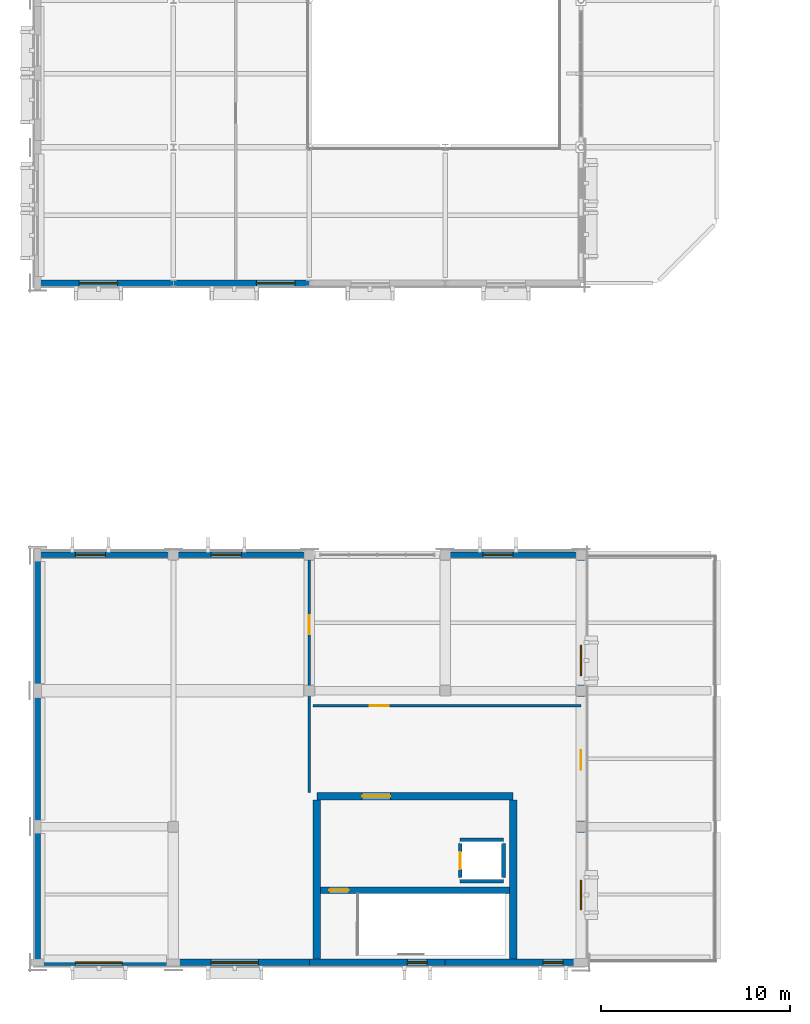
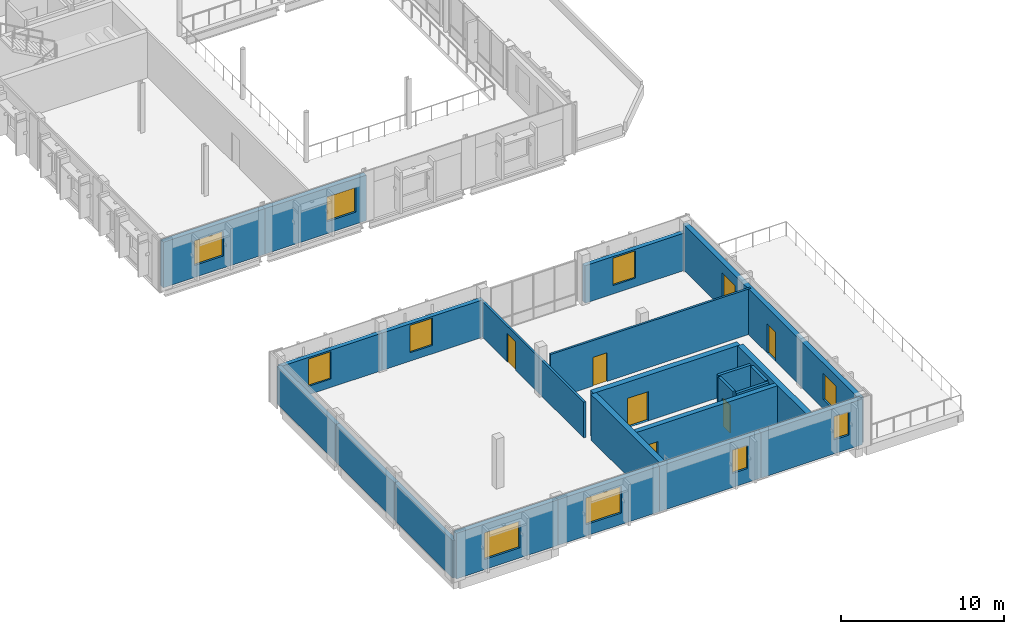
# One storey, part 49 of 73: 23 walls, 11 windows, 6 doors, 17 openings.
"""IFC4 building model written with IfcOpenShell, lengths in metres."""

from ifc_helpers import new_model, si_unit, direction, frame, frame_2d, origin, origin_with_axes, place, context, subcontext, project, spatial, rectangle, extrude, material, layer, layer_set, type_object, element, fill, save


model = new_model("IFC4")

# Units and contexts
model_context = context("Model", 3, precision=1e-05, world=origin(), true_north=direction((0.0, 1.0)))
body_context = subcontext(model_context, "Body", "Model", "MODEL_VIEW")
ifc_project = project(units=[si_unit("LENGTHUNIT", "METRE"), si_unit("AREAUNIT", "SQUARE_METRE"), si_unit("VOLUMEUNIT", "CUBIC_METRE"), si_unit("PLANEANGLEUNIT", "RADIAN"), si_unit("MASSUNIT", "GRAM", prefix="KILO")], contexts=[model_context])

# Site, building, storey
site_placement = place(None, origin())
site = spatial("IfcSite", under=ifc_project, at=site_placement, CompositionType="ELEMENT")
building_placement = place(site_placement, origin())
building = spatial("IfcBuilding", under=site, at=building_placement, Name="Vervanel Yard Central Library", CompositionType="ELEMENT")
storey_placement = place(building_placement, frame((0.0, 0.0, 12.780029296875)))
storey = spatial("IfcBuildingStorey", under=building, at=storey_placement, Name="L03", CompositionType="ELEMENT", Elevation=12.780029296875)

# Walls
ifc_material_1 = material(Name="Precast concrete C45/55", Category="concrete")
ifc_layer_1 = layer(ifc_material_1, 0.300048828125, Category="concrete")
ifc_layer_set_1 = layer_set([ifc_layer_1], Name="Precast concrete C45/55")
wall_type_1 = type_object("IfcWallType", Name="Bush-Hammered Precast Cladding Wall 300", PredefinedType="SOLIDWALL", material=ifc_layer_set_1)
for number, where, z_axis, x_axis, name in (
    (1, (0.0, 0.0, 0.0), (0.0, 0.0, 1.0), (0.0, 1.0, 0.0), "L03 Bush-Hammered Precast Cladding Wall 300 EWALL-L03-0250"),
    (2, (0.0, 7.199951171875, 0.0), (0.0, 0.0, 1.0), (0.0, 1.0, 0.0), "L03 Bush-Hammered Precast Cladding Wall 300 EWALL-L03-0251"),
):
    element("IfcWall", number, at=place(storey_placement, frame(where, z_axis=z_axis, x_axis=x_axis)), inside=storey, type_object=wall_type_1, Name=name, PredefinedType="SOLIDWALL", context=body_context, shape_type="SweptSolid", body=[
        extrude(rectangle(XDim=7.199951171875, YDim=0.300048828125, at=frame_2d((3.60009765625, 0.0))), origin(), (0.0, 0.0, 1.0), 2.804931640625),
    ])
wall_1_placement = place(storey_placement, frame((0.0, 14.39990234375, 0.0), z_axis=(0.0, 0.0, 1.0), x_axis=(0.0, 1.0, 0.0)))
element("IfcWall", 3, at=wall_1_placement, inside=storey, type_object=wall_type_1, Name="L03 Bush-Hammered Precast Cladding Wall 300 EWALL-L03-0252", PredefinedType="SOLIDWALL", context=body_context, shape_type="SweptSolid", body=[
    extrude(rectangle(XDim=7.2001953125, YDim=0.300048828125, at=frame_2d((3.60009765625, 0.0))), origin(), (0.0, 0.0, 1.0), 2.804931640625),
])

# Wall, opening, window
wall_2_placement = place(storey_placement, frame((0.0, 21.60009765625, 0.0), z_axis=(0.0, 0.0, 1.0), x_axis=(1.0, 0.0, 0.0)))
wall_2 = element("IfcWall", 4, at=wall_2_placement, inside=storey, type_object=wall_type_1, Name="L03 Bush-Hammered Precast Cladding Wall 300 EWALL-L03-0254", PredefinedType="SOLIDWALL", context=body_context, shape_type="SweptSolid", body=[
    extrude(rectangle(XDim=7.199951171875, YDim=0.300048828125, at=frame_2d((3.60009765625, 0.0))), origin(), (0.0, 0.0, 1.0), 2.804931640625),
])
opening_1_placement = place(wall_2_placement, frame((2.0, 0.0, 0.635009765625)))
opening_1 = element("IfcOpeningElement", 5, at=opening_1_placement, cuts=wall_2, Name="Opening WN-20", PredefinedType="OPENING", context=body_context, shape_type="SweptSolid", body=[
    extrude(rectangle(XDim=1.60009765625, YDim=2.050048828125, at=frame_2d((0.800048828125, 1.02490234375))), frame((0.0, 0.159912109375, 0.0), z_axis=(0.0, -1.0, 0.0), x_axis=(1.0, 0.0, 0.0)), (0.0, 0.0, 1.0), 0.320068359375),
])
ifc_material_2 = material(Name="Double low-E laminated solar-control glass", Category="glass")
window_type_1 = type_object("IfcWindowType", Name="Reading Courtyard Window 1600x2050", PartitioningType="SINGLE_PANEL", PredefinedType="WINDOW", material=ifc_material_2)
window_1_placement = place(opening_1_placement, origin())
window_1 = element("IfcWindow", 6, at=window_1_placement, inside=storey, type_object=window_type_1, Name="L03 Reading Courtyard Window 1600x2050 318", OverallHeight=2.050048828125, OverallWidth=1.60009765625, PartitioningType="SINGLE_PANEL", PredefinedType="WINDOW", context=body_context, shape_type="SweptSolid", body=[
    extrude(rectangle(XDim=1.60009765625, YDim=2.050048828125, at=frame_2d((0.800048828125, 1.02490234375))), frame((0.0, 0.030029296875, 0.0), z_axis=(0.0, -1.0, 0.0), x_axis=(1.0, 0.0, 0.0)), (0.0, 0.0, 1.0), 0.06005859375),
])
fill(opening_1, window_1)

wall_3_placement = place(storey_placement, frame((7.199951171875, 21.60009765625, 0.0), z_axis=(0.0, 0.0, 1.0), x_axis=(1.0, 0.0, 0.0)))
wall_3 = element("IfcWall", 7, at=wall_3_placement, inside=storey, type_object=wall_type_1, Name="L03 Bush-Hammered Precast Cladding Wall 300 EWALL-L03-0255", PredefinedType="SOLIDWALL", context=body_context, shape_type="SweptSolid", body=[
    extrude(rectangle(XDim=7.199951171875, YDim=0.300048828125, at=frame_2d((3.60009765625, 0.0))), origin(), (0.0, 0.0, 1.0), 2.804931640625),
])
opening_2_placement = place(wall_3_placement, frame((2.0, 0.0, 0.635009765625)))
opening_2 = element("IfcOpeningElement", 8, at=opening_2_placement, cuts=wall_3, Name="Opening WN-20", PredefinedType="OPENING", context=body_context, shape_type="SweptSolid", body=[
    extrude(rectangle(XDim=1.60009765625, YDim=2.050048828125, at=frame_2d((0.800048828125, 1.02490234375))), frame((0.0, 0.159912109375, 0.0), z_axis=(0.0, -1.0, 0.0), x_axis=(1.0, 0.0, 0.0)), (0.0, 0.0, 1.0), 0.320068359375),
])
window_2_placement = place(opening_2_placement, origin())
window_2 = element("IfcWindow", 9, at=window_2_placement, inside=storey, type_object=window_type_1, Name="L03 Reading Courtyard Window 1600x2050 319", OverallHeight=2.050048828125, OverallWidth=1.60009765625, PartitioningType="SINGLE_PANEL", PredefinedType="WINDOW", context=body_context, shape_type="SweptSolid", body=[
    extrude(rectangle(XDim=1.60009765625, YDim=2.050048828125, at=frame_2d((0.800048828125, 1.02490234375))), frame((0.0, 0.030029296875, 0.0), z_axis=(0.0, -1.0, 0.0), x_axis=(1.0, 0.0, 0.0)), (0.0, 0.0, 1.0), 0.06005859375),
])
fill(opening_2, window_2)

wall_4_placement = place(storey_placement, frame((21.60009765625, 21.60009765625, 0.0), z_axis=(0.0, 0.0, 1.0), x_axis=(1.0, 0.0, 0.0)))
wall_4 = element("IfcWall", 10, at=wall_4_placement, inside=storey, type_object=wall_type_1, Name="L03 Bush-Hammered Precast Cladding Wall 300 EWALL-L03-0256", PredefinedType="SOLIDWALL", context=body_context, shape_type="SweptSolid", body=[
    extrude(rectangle(XDim=7.199951171875, YDim=0.300048828125, at=frame_2d((3.60009765625, 0.0))), origin(), (0.0, 0.0, 1.0), 2.804931640625),
])
opening_3_placement = place(wall_4_placement, frame((2.0, 0.0, 0.635009765625)))
opening_3 = element("IfcOpeningElement", 11, at=opening_3_placement, cuts=wall_4, Name="Opening WN-20", PredefinedType="OPENING", context=body_context, shape_type="SweptSolid", body=[
    extrude(rectangle(XDim=1.60009765625, YDim=2.050048828125, at=frame_2d((0.800048828125, 1.02490234375))), frame((0.0, 0.159912109375, 0.0), z_axis=(0.0, -1.0, 0.0), x_axis=(1.0, 0.0, 0.0)), (0.0, 0.0, 1.0), 0.320068359375),
])
window_3_placement = place(opening_3_placement, origin())
window_3 = element("IfcWindow", 12, at=window_3_placement, inside=storey, type_object=window_type_1, Name="L03 Reading Courtyard Window 1600x2050 320", OverallHeight=2.050048828125, OverallWidth=1.60009765625, PartitioningType="SINGLE_PANEL", PredefinedType="WINDOW", context=body_context, shape_type="SweptSolid", body=[
    extrude(rectangle(XDim=1.60009765625, YDim=2.050048828125, at=frame_2d((0.800048828125, 1.02490234375))), frame((0.0, 0.030029296875, 0.0), z_axis=(0.0, -1.0, 0.0), x_axis=(1.0, 0.0, 0.0)), (0.0, 0.0, 1.0), 0.06005859375),
])
fill(opening_3, window_3)

# Wall, opening, door
ifc_material_3 = material(Name="Concrete C45/55", Category="concrete")
ifc_layer_2 = layer(ifc_material_3, 0.39990234375, Category="concrete")
ifc_layer_set_2 = layer_set([ifc_layer_2], Name="Concrete C45/55")
wall_type_2 = type_object("IfcWallType", Name="Core Primary Shear Wall 400", PredefinedType="SHEAR", material=ifc_layer_set_2)
wall_5_placement = place(storey_placement, frame((14.800048828125, 8.800048828125, 0.0), z_axis=(0.0, 0.0, 1.0), x_axis=(1.0, 0.0, 0.0)))
wall_5 = element("IfcWall", 13, at=wall_5_placement, inside=storey, type_object=wall_type_2, Name="L03 CORE-D Shear Wall N", PredefinedType="SHEAR", context=body_context, shape_type="SweptSolid", body=[
    extrude(rectangle(XDim=10.39990234375, YDim=0.39990234375, at=frame_2d((5.199951171875, 0.0))), origin(), (0.0, 0.0, 1.0), 3.419921875),
])
opening_4_placement = place(wall_5_placement, frame((2.39990234375, 0.0, 0.0)))
opening_4 = element("IfcOpeningElement", 14, at=opening_4_placement, cuts=wall_5, Name="Opening DR-F02", PredefinedType="OPENING", context=body_context, shape_type="SweptSolid", body=[
    extrude(rectangle(XDim=1.5, YDim=2.199951171875, at=frame_2d((0.75, 1.10009765625))), frame((0.0, 0.2099609375, 0.0), z_axis=(0.0, -1.0, 0.0), x_axis=(1.0, 0.0, 0.0)), (0.0, 0.0, 1.0), 0.419921875),
])
ifc_material_4 = material(Name="Galvanized painted steelwork ASTM A500 Grade C", Category="steel")
door_type_1 = type_object("IfcDoorType", Name="Fire-Rated Lobby Door 1500x2200", OperationType="NOTDEFINED", PredefinedType="DOOR", material=ifc_material_4)
door_1_placement = place(opening_4_placement, origin())
door_1 = element("IfcDoor", 15, at=door_1_placement, inside=storey, type_object=door_type_1, Name="L03 CORE-D Lobby Fire Door", OperationType="DOUBLE_DOOR_SINGLE_SWING", OverallHeight=2.199951171875, OverallWidth=1.5, PredefinedType="DOOR", context=body_context, shape_type="SweptSolid", body=[
    extrude(rectangle(XDim=1.5, YDim=2.199951171875, at=frame_2d((0.75, 1.10009765625))), frame((0.0, 0.02490234375, 0.0), z_axis=(0.0, -1.0, 0.0), x_axis=(1.0, 0.0, 0.0)), (0.0, 0.0, 1.0), 0.050048828125),
])
fill(opening_4, door_1)

# Walls
for number, where, z_axis, x_axis, name in (
    (16, (14.800048828125, 0.169921875, 0.0), (0.0, 0.0, 1.0), (0.0, 1.0, 0.0), "L03 CORE-D Shear Wall W"),
    (17, (25.199951171875, 0.169921875, 0.0), (0.0, 0.0, 1.0), (0.0, 1.0, 0.0), "L03 CORE-D Shear Wall E"),
):
    element("IfcWall", number, at=place(storey_placement, frame(where, z_axis=z_axis, x_axis=x_axis)), inside=storey, type_object=wall_type_2, Name=name, PredefinedType="SHEAR", context=body_context, shape_type="SweptSolid", body=[
        extrude(rectangle(XDim=8.43017578125, YDim=0.39990234375, at=frame_2d((4.215087890625, 0.0))), origin(), (0.0, 0.0, 1.0), 3.419921875),
    ])

# Wall, opening, door
ifc_layer_3 = layer(ifc_material_3, 0.35009765625, Category="concrete")
ifc_layer_set_3 = layer_set([ifc_layer_3], Name="Concrete C45/55")
wall_type_3 = type_object("IfcWallType", Name="Core Secondary Shear Wall 350", PredefinedType="SHEAR", material=ifc_layer_set_3)
wall_6_placement = place(storey_placement, frame((15.0, 3.8349609375, 0.0), z_axis=(0.0, 0.0, 1.0), x_axis=(1.0, 0.0, 0.0)))
wall_6 = element("IfcWall", 18, at=wall_6_placement, inside=storey, type_object=wall_type_3, Name="L03 CORE-D Stair Shaft Wall", PredefinedType="SHEAR", context=body_context, shape_type="SweptSolid", body=[
    extrude(rectangle(XDim=10.0, YDim=0.35009765625, at=frame_2d((5.0, 0.0))), origin(), (0.0, 0.0, 1.0), 3.419921875),
])
opening_5_placement = place(wall_6_placement, frame((0.449951171875, 0.0, 0.0)))
opening_5 = element("IfcOpeningElement", 19, at=opening_5_placement, cuts=wall_6, Name="Opening DR-F01", PredefinedType="OPENING", context=body_context, shape_type="SweptSolid", body=[
    extrude(rectangle(XDim=1.050048828125, YDim=2.199951171875, at=frame_2d((0.52490234375, 1.10009765625))), frame((0.0, 0.18505859375, 0.0), z_axis=(0.0, -1.0, 0.0), x_axis=(1.0, 0.0, 0.0)), (0.0, 0.0, 1.0), 0.3701171875),
])
door_type_2 = type_object("IfcDoorType", Name="Fire-Rated Stair Exit Door 1050x2200", OperationType="NOTDEFINED", PredefinedType="DOOR", material=ifc_material_4)
door_2_placement = place(opening_5_placement, origin())
door_2 = element("IfcDoor", 20, at=door_2_placement, inside=storey, type_object=door_type_2, Name="L03 CORE-D Stair Door", OperationType="SINGLE_SWING_RIGHT", OverallHeight=2.199951171875, OverallWidth=1.050048828125, PredefinedType="DOOR", context=body_context, shape_type="SweptSolid", body=[
    extrude(rectangle(XDim=1.050048828125, YDim=2.199951171875, at=frame_2d((0.52490234375, 1.10009765625))), frame((0.0, 0.02490234375, 0.0), z_axis=(0.0, -1.0, 0.0), x_axis=(1.0, 0.0, 0.0)), (0.0, 0.0, 1.0), 0.050048828125),
])
fill(opening_5, door_2)

# Wall, opening, window
ifc_layer_4 = layer(ifc_material_3, 0.340087890625, Category="concrete")
ifc_layer_set_4 = layer_set([ifc_layer_4], Name="Concrete C45/55")
wall_type_4 = type_object("IfcWallType", Name="Exterior Bearing Concrete Frame Wall 340", PredefinedType="SOLIDWALL", material=ifc_layer_set_4)
wall_7_placement = place(storey_placement, frame((0.0, 36.0, 0.0), z_axis=(0.0, 0.0, 1.0), x_axis=(1.0, 0.0, 0.0)))
wall_7 = element("IfcWall", 21, at=wall_7_placement, inside=storey, type_object=wall_type_4, Name="L03 Exterior Bearing Concrete Frame Wall 340 EWALL-L03-0136", PredefinedType="SOLIDWALL", context=body_context, shape_type="SweptSolid", body=[
    extrude(rectangle(XDim=7.199951171875, YDim=0.340087890625, at=frame_2d((3.60009765625, 0.0))), origin(), (0.0, 0.0, 1.0), 3.419921875),
])
opening_6_placement = place(wall_7_placement, frame((2.199951171875, 0.0, 0.89990234375)))
opening_6 = element("IfcOpeningElement", 22, at=opening_6_placement, cuts=wall_7, Name="Opening WN-26", PredefinedType="OPENING", context=body_context, shape_type="SweptSolid", body=[
    extrude(rectangle(XDim=2.050048828125, YDim=1.85009765625, at=frame_2d((1.02490234375, 0.925048828125))), frame((0.0, 0.179931640625, 0.0), z_axis=(0.0, -1.0, 0.0), x_axis=(1.0, 0.0, 0.0)), (0.0, 0.0, 1.0), 0.360107421875),
])
window_type_2 = type_object("IfcWindowType", Name="Seminar Acoustic Window 2050x1850", PartitioningType="SINGLE_PANEL", PredefinedType="WINDOW", material=ifc_material_2)
window_4_placement = place(opening_6_placement, origin())
window_4 = element("IfcWindow", 23, at=window_4_placement, inside=storey, type_object=window_type_2, Name="L03 Seminar Acoustic Window 2050x1850 183", OverallHeight=1.85009765625, OverallWidth=2.050048828125, PartitioningType="SINGLE_PANEL", PredefinedType="WINDOW", context=body_context, shape_type="SweptSolid", body=[
    extrude(rectangle(XDim=2.050048828125, YDim=1.85009765625, at=frame_2d((1.02490234375, 0.925048828125))), frame((0.0, 0.030029296875, 0.0), z_axis=(0.0, -1.0, 0.0), x_axis=(1.0, 0.0, 0.0)), (0.0, 0.0, 1.0), 0.06005859375),
])
fill(opening_6, window_4)

wall_8_placement = place(storey_placement, frame((7.199951171875, 36.0, 0.0), z_axis=(0.0, 0.0, 1.0), x_axis=(1.0, 0.0, 0.0)))
wall_8 = element("IfcWall", 24, at=wall_8_placement, inside=storey, type_object=wall_type_4, Name="L03 Exterior Bearing Concrete Frame Wall 340 EWALL-L03-0138", PredefinedType="SOLIDWALL", context=body_context, shape_type="SweptSolid", body=[
    extrude(rectangle(XDim=7.199951171875, YDim=0.340087890625, at=frame_2d((3.60009765625, 0.0))), origin(), (0.0, 0.0, 1.0), 3.419921875),
])
opening_7_placement = place(wall_8_placement, frame((4.39990234375, 0.0, 0.89990234375)))
opening_7 = element("IfcOpeningElement", 25, at=opening_7_placement, cuts=wall_8, Name="Opening WN-26", PredefinedType="OPENING", context=body_context, shape_type="SweptSolid", body=[
    extrude(rectangle(XDim=2.050048828125, YDim=1.85009765625, at=frame_2d((1.02490234375, 0.925048828125))), frame((0.0, 0.179931640625, 0.0), z_axis=(0.0, -1.0, 0.0), x_axis=(1.0, 0.0, 0.0)), (0.0, 0.0, 1.0), 0.360107421875),
])
window_5_placement = place(opening_7_placement, origin())
window_5 = element("IfcWindow", 26, at=window_5_placement, inside=storey, type_object=window_type_2, Name="L03 Seminar Acoustic Window 2050x1850 185", OverallHeight=1.85009765625, OverallWidth=2.050048828125, PartitioningType="SINGLE_PANEL", PredefinedType="WINDOW", context=body_context, shape_type="SweptSolid", body=[
    extrude(rectangle(XDim=2.050048828125, YDim=1.85009765625, at=frame_2d((1.02490234375, 0.925048828125))), frame((0.0, 0.030029296875, 0.0), z_axis=(0.0, -1.0, 0.0), x_axis=(1.0, 0.0, 0.0)), (0.0, 0.0, 1.0), 0.06005859375),
])
fill(opening_7, window_5)

wall_9_placement = place(storey_placement, origin_with_axes())
wall_9 = element("IfcWall", 27, at=wall_9_placement, inside=storey, type_object=wall_type_4, Name="L03 Exterior Bearing Concrete Frame Wall 340 EWALL-L03-0246", PredefinedType="SOLIDWALL", context=body_context, shape_type="SweptSolid", body=[
    extrude(rectangle(XDim=7.199951171875, YDim=0.340087890625, at=frame_2d((3.60009765625, 0.0))), origin(), (0.0, 0.0, 1.0), 3.419921875),
])
opening_8_placement = place(wall_9_placement, frame((2.0, 0.0, 0.764892578125)))
opening_8 = element("IfcOpeningElement", 28, at=opening_8_placement, cuts=wall_9, Name="Opening WN-14", PredefinedType="OPENING", context=body_context, shape_type="SweptSolid", body=[
    extrude(rectangle(XDim=2.5, YDim=2.0, at=frame_2d((1.25, 1.0))), frame((0.0, 0.179931640625, 0.0), z_axis=(0.0, -1.0, 0.0), x_axis=(1.0, 0.0, 0.0)), (0.0, 0.0, 1.0), 0.360107421875),
])
window_type_3 = type_object("IfcWindowType", Name="Boardroom Acoustic Window 2500x2000", PartitioningType="SINGLE_PANEL", PredefinedType="WINDOW", material=ifc_material_2)
window_6_placement = place(opening_8_placement, origin())
window_6 = element("IfcWindow", 29, at=window_6_placement, inside=storey, type_object=window_type_3, Name="L03 Boardroom Acoustic Window 2500x2000 312", OverallHeight=2.0, OverallWidth=2.5, PartitioningType="SINGLE_PANEL", PredefinedType="WINDOW", context=body_context, shape_type="SweptSolid", body=[
    extrude(rectangle(XDim=2.5, YDim=2.0, at=frame_2d((1.25, 1.0))), frame((0.0, 0.030029296875, 0.0), z_axis=(0.0, -1.0, 0.0), x_axis=(1.0, 0.0, 0.0)), (0.0, 0.0, 1.0), 0.06005859375),
])
fill(opening_8, window_6)

wall_10_placement = place(storey_placement, frame((7.199951171875, 0.0, 0.0), z_axis=(0.0, 0.0, 1.0), x_axis=(1.0, 0.0, 0.0)))
wall_10 = element("IfcWall", 30, at=wall_10_placement, inside=storey, type_object=wall_type_4, Name="L03 Exterior Bearing Concrete Frame Wall 340 EWALL-L03-0247", PredefinedType="SOLIDWALL", context=body_context, shape_type="SweptSolid", body=[
    extrude(rectangle(XDim=7.199951171875, YDim=0.340087890625, at=frame_2d((3.60009765625, 0.0))), origin(), (0.0, 0.0, 1.0), 3.419921875),
])
opening_9_placement = place(wall_10_placement, frame((2.0, 0.0, 0.85009765625)))
opening_9 = element("IfcOpeningElement", 31, at=opening_9_placement, cuts=wall_10, Name="Opening WN-14", PredefinedType="OPENING", context=body_context, shape_type="SweptSolid", body=[
    extrude(rectangle(XDim=2.5, YDim=2.0, at=frame_2d((1.25, 1.0))), frame((0.0, 0.179931640625, 0.0), z_axis=(0.0, -1.0, 0.0), x_axis=(1.0, 0.0, 0.0)), (0.0, 0.0, 1.0), 0.360107421875),
])
window_7_placement = place(opening_9_placement, origin())
window_7 = element("IfcWindow", 32, at=window_7_placement, inside=storey, type_object=window_type_3, Name="L03 Boardroom Acoustic Window 2500x2000 313", OverallHeight=2.0, OverallWidth=2.5, PartitioningType="SINGLE_PANEL", PredefinedType="WINDOW", context=body_context, shape_type="SweptSolid", body=[
    extrude(rectangle(XDim=2.5, YDim=2.0, at=frame_2d((1.25, 1.0))), frame((0.0, 0.030029296875, 0.0), z_axis=(0.0, -1.0, 0.0), x_axis=(1.0, 0.0, 0.0)), (0.0, 0.0, 1.0), 0.06005859375),
])
fill(opening_9, window_7)

wall_11_placement = place(storey_placement, frame((14.39990234375, 0.0, 0.0), z_axis=(0.0, 0.0, 1.0), x_axis=(1.0, 0.0, 0.0)))
wall_11 = element("IfcWall", 33, at=wall_11_placement, inside=storey, type_object=wall_type_4, Name="L03 Exterior Bearing Concrete Frame Wall 340 EWALL-L03-0248", PredefinedType="SOLIDWALL", context=body_context, shape_type="SweptSolid", body=[
    extrude(rectangle(XDim=7.2001953125, YDim=0.340087890625, at=frame_2d((3.60009765625, 0.0))), origin(), (0.0, 0.0, 1.0), 3.419921875),
])
opening_10_placement = place(wall_11_placement, frame((5.199951171875, 0.0, 1.050048828125)))
opening_10 = element("IfcOpeningElement", 34, at=opening_10_placement, cuts=wall_11, Name="Opening WN-16", PredefinedType="OPENING", context=body_context, shape_type="SweptSolid", body=[
    extrude(rectangle(XDim=1.050048828125, YDim=1.75, at=frame_2d((0.52490234375, 0.875))), frame((0.0, 0.179931640625, 0.0), z_axis=(0.0, -1.0, 0.0), x_axis=(1.0, 0.0, 0.0)), (0.0, 0.0, 1.0), 0.360107421875),
])
window_type_4 = type_object("IfcWindowType", Name="Study Carrel Punch Window 1050x1750", PartitioningType="SINGLE_PANEL", PredefinedType="WINDOW", material=ifc_material_2)
window_8_placement = place(opening_10_placement, origin())
window_8 = element("IfcWindow", 35, at=window_8_placement, inside=storey, type_object=window_type_4, Name="L03 Study Carrel Punch Window 1050x1750 314", OverallHeight=1.75, OverallWidth=1.050048828125, PartitioningType="SINGLE_PANEL", PredefinedType="WINDOW", context=body_context, shape_type="SweptSolid", body=[
    extrude(rectangle(XDim=1.050048828125, YDim=1.75, at=frame_2d((0.52490234375, 0.875))), frame((0.0, 0.030029296875, 0.0), z_axis=(0.0, -1.0, 0.0), x_axis=(1.0, 0.0, 0.0)), (0.0, 0.0, 1.0), 0.06005859375),
])
fill(opening_10, window_8)

wall_12_placement = place(storey_placement, frame((21.60009765625, 0.0, 0.0), z_axis=(0.0, 0.0, 1.0), x_axis=(1.0, 0.0, 0.0)))
wall_12 = element("IfcWall", 36, at=wall_12_placement, inside=storey, type_object=wall_type_4, Name="L03 Exterior Bearing Concrete Frame Wall 340 EWALL-L03-0249", PredefinedType="SOLIDWALL", context=body_context, shape_type="SweptSolid", body=[
    extrude(rectangle(XDim=7.199951171875, YDim=0.340087890625, at=frame_2d((3.60009765625, 0.0))), origin(), (0.0, 0.0, 1.0), 3.419921875),
])
opening_11_placement = place(wall_12_placement, frame((5.199951171875, 0.0, 1.050048828125)))
opening_11 = element("IfcOpeningElement", 37, at=opening_11_placement, cuts=wall_12, Name="Opening WN-16", PredefinedType="OPENING", context=body_context, shape_type="SweptSolid", body=[
    extrude(rectangle(XDim=1.050048828125, YDim=1.75, at=frame_2d((0.52490234375, 0.875))), frame((0.0, 0.179931640625, 0.0), z_axis=(0.0, -1.0, 0.0), x_axis=(1.0, 0.0, 0.0)), (0.0, 0.0, 1.0), 0.360107421875),
])
window_9_placement = place(opening_11_placement, origin())
window_9 = element("IfcWindow", 38, at=window_9_placement, inside=storey, type_object=window_type_4, Name="L03 Study Carrel Punch Window 1050x1750 315", OverallHeight=1.75, OverallWidth=1.050048828125, PartitioningType="SINGLE_PANEL", PredefinedType="WINDOW", context=body_context, shape_type="SweptSolid", body=[
    extrude(rectangle(XDim=1.050048828125, YDim=1.75, at=frame_2d((0.52490234375, 0.875))), frame((0.0, 0.030029296875, 0.0), z_axis=(0.0, -1.0, 0.0), x_axis=(1.0, 0.0, 0.0)), (0.0, 0.0, 1.0), 0.06005859375),
])
fill(opening_11, window_9)

# Wall, openings, windows, door
wall_13_placement = place(storey_placement, frame((28.800048828125, 0.0, 0.0), z_axis=(0.0, 0.0, 1.0), x_axis=(0.0, 1.0, 0.0)))
wall_13 = element("IfcWall", 39, at=wall_13_placement, inside=storey, type_object=wall_type_4, Name="L03 Exterior Bearing Concrete Frame Wall 340 EWALL-L03-0253", PredefinedType="SOLIDWALL", context=body_context, shape_type="SweptSolid", body=[
    extrude(rectangle(XDim=21.60009765625, YDim=0.340087890625, at=frame_2d((10.800048828125, 0.0))), origin(), (0.0, 0.0, 1.0), 3.419921875),
])
opening_12_placement = place(wall_13_placement, frame((10.199951171875, 0.0, 0.0)))
opening_12 = element("IfcOpeningElement", 40, at=opening_12_placement, cuts=wall_13, Name="Opening DR-T02", PredefinedType="OPENING", context=body_context, shape_type="SweptSolid", body=[
    extrude(rectangle(XDim=1.050048828125, YDim=2.199951171875, at=frame_2d((0.52490234375, 1.10009765625))), frame((0.0, 0.179931640625, 0.0), z_axis=(0.0, -1.0, 0.0), x_axis=(1.0, 0.0, 0.0)), (0.0, 0.0, 1.0), 0.360107421875),
])
opening_13_placement = place(wall_13_placement, frame((2.800048828125, 0.0, 0.695068359375)))
opening_13 = element("IfcOpeningElement", 41, at=opening_13_placement, cuts=wall_13, Name="Opening WN-30", PredefinedType="OPENING", context=body_context, shape_type="SweptSolid", body=[
    extrude(rectangle(XDim=1.550048828125, YDim=1.949951171875, at=frame_2d((0.77490234375, 0.97509765625))), frame((0.0, 0.179931640625, 0.0), z_axis=(0.0, -1.0, 0.0), x_axis=(1.0, 0.0, 0.0)), (0.0, 0.0, 1.0), 0.360107421875),
])
opening_14_placement = place(wall_13_placement, frame((15.199951171875, 0.0, 0.594970703125)))
opening_14 = element("IfcOpeningElement", 42, at=opening_14_placement, cuts=wall_13, Name="Opening WN-20", PredefinedType="OPENING", context=body_context, shape_type="SweptSolid", body=[
    extrude(rectangle(XDim=1.60009765625, YDim=2.050048828125, at=frame_2d((0.800048828125, 1.02490234375))), frame((0.0, 0.179931640625, 0.0), z_axis=(0.0, -1.0, 0.0), x_axis=(1.0, 0.0, 0.0)), (0.0, 0.0, 1.0), 0.360107421875),
])
window_type_5 = type_object("IfcWindowType", Name="Admin Corner Window 1550x1950", PartitioningType="SINGLE_PANEL", PredefinedType="WINDOW", material=ifc_material_2)
window_10_placement = place(opening_13_placement, origin())
window_10 = element("IfcWindow", 43, at=window_10_placement, inside=storey, type_object=window_type_5, Name="L03 Admin Corner Window 1550x1950 316", OverallHeight=1.949951171875, OverallWidth=1.550048828125, PartitioningType="SINGLE_PANEL", PredefinedType="WINDOW", context=body_context, shape_type="SweptSolid", body=[
    extrude(rectangle(XDim=1.550048828125, YDim=1.949951171875, at=frame_2d((0.77490234375, 0.97509765625))), frame((0.0, 0.030029296875, 0.0), z_axis=(0.0, -1.0, 0.0), x_axis=(1.0, 0.0, 0.0)), (0.0, 0.0, 1.0), 0.06005859375),
])
fill(opening_13, window_10)
window_11_placement = place(opening_14_placement, origin())
window_11 = element("IfcWindow", 44, at=window_11_placement, inside=storey, type_object=window_type_1, Name="L03 Reading Courtyard Window 1600x2050 317", OverallHeight=2.050048828125, OverallWidth=1.60009765625, PartitioningType="SINGLE_PANEL", PredefinedType="WINDOW", context=body_context, shape_type="SweptSolid", body=[
    extrude(rectangle(XDim=1.60009765625, YDim=2.050048828125, at=frame_2d((0.800048828125, 1.02490234375))), frame((0.0, 0.030029296875, 0.0), z_axis=(0.0, -1.0, 0.0), x_axis=(1.0, 0.0, 0.0)), (0.0, 0.0, 1.0), 0.06005859375),
])
fill(opening_14, window_11)
ifc_material_5 = material(Name="Thermally broken anodized aluminium 6063-T6", Category="aluminium")
door_type_3 = type_object("IfcDoorType", Name="Roof Garden Terrace Single Door 1050x2200", OperationType="NOTDEFINED", PredefinedType="DOOR", material=ifc_material_5)
door_3_placement = place(opening_12_placement, frame((1.050048828125, 0.0, 0.0), z_axis=(0.0, 0.0, 1.0), x_axis=(-1.0, 0.0, 0.0)))
door_3 = element("IfcDoor", 45, at=door_3_placement, inside=storey, type_object=door_type_3, Name="L03 Roof Garden Terrace Single Door 1050x2200 26", OperationType="SINGLE_SWING_LEFT", OverallHeight=2.199951171875, OverallWidth=1.050048828125, PredefinedType="DOOR", context=body_context, shape_type="SweptSolid", body=[
    extrude(rectangle(XDim=1.050048828125, YDim=2.199951171875, at=frame_2d((0.52490234375, 1.10009765625))), frame((0.0, 0.02490234375, 0.0), z_axis=(0.0, -1.0, 0.0), x_axis=(1.0, 0.0, 0.0)), (0.0, 0.0, 1.0), 0.050048828125),
])
fill(opening_12, door_3)

# Wall, opening, door
ifc_material_6 = material(Name="Fire-rated gypsum board on steel studs", Category="steel")
ifc_layer_5 = layer(ifc_material_6, 0.14990234375, Category="steel")
ifc_layer_set_5 = layer_set([ifc_layer_5], Name="Fire-rated gypsum board on steel studs")
wall_type_5 = type_object("IfcWallType", Name="Interior Partition 150", PredefinedType="PARTITIONING", material=ifc_layer_set_5)
wall_14_placement = place(storey_placement, frame((14.39990234375, 9.0, 0.0), z_axis=(0.0, 0.0, 1.0), x_axis=(0.0, 1.0, 0.0)))
wall_14 = element("IfcWall", 46, at=wall_14_placement, inside=storey, type_object=wall_type_5, Name="L03 Interior Partition 150 IPART-L03-0106", PredefinedType="PARTITIONING", context=body_context, shape_type="SweptSolid", body=[
    extrude(rectangle(XDim=12.60009765625, YDim=0.14990234375, at=frame_2d((6.300048828125, 0.0))), origin(), (0.0, 0.0, 1.0), 2.68505859375),
])
opening_15_placement = place(wall_14_placement, frame((8.39990234375, 0.0, 0.0)))
opening_15 = element("IfcOpeningElement", 47, at=opening_15_placement, cuts=wall_14, Name="Opening DR-01", PredefinedType="OPENING", context=body_context, shape_type="SweptSolid", body=[
    extrude(rectangle(XDim=1.0, YDim=2.14990234375, at=frame_2d((0.5, 1.074951171875))), frame((0.0, 0.0849609375, 0.0), z_axis=(0.0, -1.0, 0.0), x_axis=(1.0, 0.0, 0.0)), (0.0, 0.0, 1.0), 0.169921875),
])
ifc_material_7 = material(Name="Solid white oak acoustic joinery", Category="wood")
door_type_4 = type_object("IfcDoorType", Name="Interior Single Door 1000x2150", OperationType="NOTDEFINED", PredefinedType="DOOR", material=ifc_material_7)
door_4_placement = place(opening_15_placement, origin())
door_4 = element("IfcDoor", 48, at=door_4_placement, inside=storey, type_object=door_type_4, Name="L03 Interior Single Door 1000x2150 IDOOR-L03-0083", OperationType="SINGLE_SWING_LEFT", OverallHeight=2.14990234375, OverallWidth=1.0, PredefinedType="DOOR", context=body_context, shape_type="SweptSolid", body=[
    extrude(rectangle(XDim=1.0, YDim=2.14990234375, at=frame_2d((0.5, 1.074951171875))), frame((0.0, 0.02490234375, 0.0), z_axis=(0.0, -1.0, 0.0), x_axis=(1.0, 0.0, 0.0)), (0.0, 0.0, 1.0), 0.050048828125),
])
fill(opening_15, door_4)

wall_15_placement = place(storey_placement, frame((14.60009765625, 13.60009765625, 0.0), z_axis=(0.0, 0.0, 1.0), x_axis=(1.0, 0.0, 0.0)))
wall_15 = element("IfcWall", 49, at=wall_15_placement, inside=storey, type_object=wall_type_5, Name="L03 Interior Partition 150 IPART-L03-0107", PredefinedType="PARTITIONING", context=body_context, shape_type="SweptSolid", body=[
    extrude(rectangle(XDim=14.199951171875, YDim=0.14990234375, at=frame_2d((7.10009765625, 0.0))), origin(), (0.0, 0.0, 1.0), 3.419921875),
])
opening_16_placement = place(wall_15_placement, frame((3.0, 0.0, 0.0)))
opening_16 = element("IfcOpeningElement", 50, at=opening_16_placement, cuts=wall_15, Name="Opening DR-01", PredefinedType="OPENING", context=body_context, shape_type="SweptSolid", body=[
    extrude(rectangle(XDim=1.0, YDim=2.14990234375, at=frame_2d((0.5, 1.074951171875))), frame((0.0, 0.0849609375, 0.0), z_axis=(0.0, -1.0, 0.0), x_axis=(1.0, 0.0, 0.0)), (0.0, 0.0, 1.0), 0.169921875),
])
door_5_placement = place(opening_16_placement, origin())
door_5 = element("IfcDoor", 51, at=door_5_placement, inside=storey, type_object=door_type_4, Name="L03 Interior Single Door 1000x2150 IDOOR-L03-0084", OperationType="SINGLE_SWING_RIGHT", OverallHeight=2.14990234375, OverallWidth=1.0, PredefinedType="DOOR", context=body_context, shape_type="SweptSolid", body=[
    extrude(rectangle(XDim=1.0, YDim=2.14990234375, at=frame_2d((0.5, 1.074951171875))), frame((0.0, 0.02490234375, 0.0), z_axis=(0.0, -1.0, 0.0), x_axis=(1.0, 0.0, 0.0)), (0.0, 0.0, 1.0), 0.050048828125),
])
fill(opening_16, door_5)

# Walls
ifc_material_8 = material(Name="Concrete C40/50", Category="concrete")
ifc_layer_6 = layer(ifc_material_8, 0.199951171875, Category="concrete")
ifc_layer_set_6 = layer_set([ifc_layer_6], Name="Concrete C40/50")
wall_type_6 = type_object("IfcWallType", Name="Shaft & Plant Rated Wall 200", PredefinedType="PARTITIONING", material=ifc_layer_set_6)
for number, where, z_axis, x_axis, name in (
    (52, (22.39990234375, 4.300048828125, 0.0), (0.0, 0.0, 1.0), (1.0, 0.0, 0.0), "L03 CORE-D-L03-RIS Shaft Wall S"),
    (53, (22.39990234375, 6.5, 0.0), (0.0, 0.0, 1.0), (1.0, 0.0, 0.0), "L03 CORE-D-L03-RIS Shaft Wall N"),
):
    element("IfcWall", number, at=place(storey_placement, frame(where, z_axis=z_axis, x_axis=x_axis)), inside=storey, type_object=wall_type_6, Name=name, PredefinedType="PARTITIONING", context=body_context, shape_type="SweptSolid", body=[
        extrude(rectangle(XDim=2.300048828125, YDim=0.199951171875, at=frame_2d((1.14990234375, 0.0))), origin(), (0.0, 0.0, 1.0), 3.419921875),
    ])

# Wall, opening, door
wall_16_placement = place(storey_placement, frame((22.39990234375, 4.5, 0.0), z_axis=(0.0, 0.0, 1.0), x_axis=(0.0, 1.0, 0.0)))
wall_16 = element("IfcWall", 54, at=wall_16_placement, inside=storey, type_object=wall_type_6, Name="L03 CORE-D-L03-RIS Shaft Wall W", PredefinedType="PARTITIONING", context=body_context, shape_type="SweptSolid", body=[
    extrude(rectangle(XDim=1.800048828125, YDim=0.199951171875, at=frame_2d((0.89990234375, 0.0))), origin(), (0.0, 0.0, 1.0), 3.419921875),
])
opening_17_placement = place(wall_16_placement, frame((0.449951171875, 0.0, 0.0)))
opening_17 = element("IfcOpeningElement", 55, at=opening_17_placement, cuts=wall_16, Name="Opening DR-03", PredefinedType="OPENING", context=body_context, shape_type="SweptSolid", body=[
    extrude(rectangle(XDim=0.89990234375, YDim=2.10009765625, at=frame_2d((0.449951171875, 1.050048828125))), frame((0.0, 0.10986328125, 0.0), z_axis=(0.0, -1.0, 0.0), x_axis=(1.0, 0.0, 0.0)), (0.0, 0.0, 1.0), 0.219970703125),
])
door_type_5 = type_object("IfcDoorType", Name="Interior Riser Access Door 900x2100", OperationType="NOTDEFINED", PredefinedType="DOOR", material=ifc_material_4)
door_6_placement = place(opening_17_placement, origin())
door_6 = element("IfcDoor", 56, at=door_6_placement, inside=storey, type_object=door_type_5, Name="L03 CORE-D Riser Access Door", OperationType="SINGLE_SWING_LEFT", OverallHeight=2.10009765625, OverallWidth=0.89990234375, PredefinedType="DOOR", context=body_context, shape_type="SweptSolid", body=[
    extrude(rectangle(XDim=0.89990234375, YDim=2.10009765625, at=frame_2d((0.449951171875, 1.050048828125))), frame((0.0, 0.02490234375, 0.0), z_axis=(0.0, -1.0, 0.0), x_axis=(1.0, 0.0, 0.0)), (0.0, 0.0, 1.0), 0.050048828125),
])
fill(opening_17, door_6)

# Wall
wall_17_placement = place(storey_placement, frame((24.699951171875, 4.5, 0.0), z_axis=(0.0, 0.0, 1.0), x_axis=(0.0, 1.0, 0.0)))
element("IfcWall", 57, at=wall_17_placement, inside=storey, type_object=wall_type_6, Name="L03 CORE-D-L03-RIS Shaft Wall E", PredefinedType="PARTITIONING", context=body_context, shape_type="SweptSolid", body=[
    extrude(rectangle(XDim=1.800048828125, YDim=0.199951171875, at=frame_2d((0.89990234375, 0.0))), origin(), (0.0, 0.0, 1.0), 3.419921875),
])

save(model, "model.ifc")
